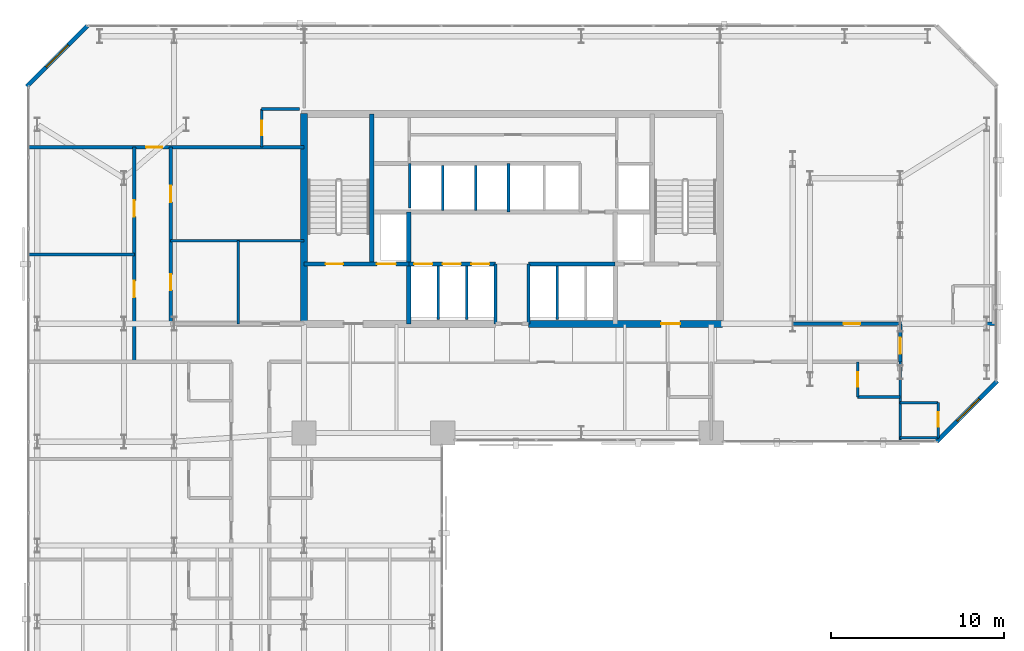
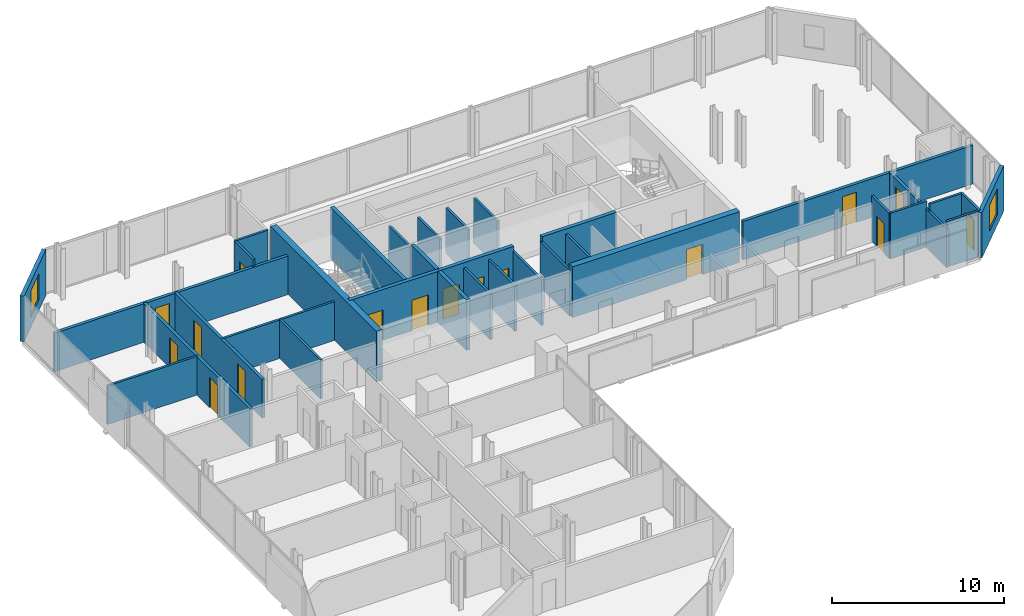
# One storey, part 30 of 33: 34 walls, 16 doors, 2 windows, 18 openings.
"""IFC4 building model written with IfcOpenShell, lengths in metres."""

from ifc_helpers import new_model, si_unit, direction, frame, frame_2d, origin, place, context, subcontext, project, spatial, rectangle, extrude, material, layer, layer_set, type_object, element, fill, save


model = new_model("IFC4")

# Units and contexts
model_context = context("Model", 3, precision=1e-05, world=origin(), true_north=direction((0.0, 1.0)))
body_context = subcontext(model_context, "Body", "Model", "MODEL_VIEW")
ifc_project = project(units=[si_unit("LENGTHUNIT", "METRE"), si_unit("AREAUNIT", "SQUARE_METRE"), si_unit("VOLUMEUNIT", "CUBIC_METRE"), si_unit("PLANEANGLEUNIT", "RADIAN"), si_unit("MASSUNIT", "GRAM", prefix="KILO")], contexts=[model_context])

# Site, building, storey
site_placement = place(None, origin())
site = spatial("IfcSite", under=ifc_project, at=site_placement, CompositionType="ELEMENT")
building_placement = place(site_placement, origin())
building = spatial("IfcBuilding", under=site, at=building_placement, Name="Catumbela Crestline Tower", CompositionType="ELEMENT")
storey_placement = place(building_placement, frame((0.0, 0.0, 76.2)))
storey = spatial("IfcBuildingStorey", under=building, at=storey_placement, Name="L19", CompositionType="ELEMENT", Elevation=76.2)

# Walls
ifc_material_1 = material(Name="Concrete C50/60", Category="concrete")
ifc_layer_1 = layer(ifc_material_1, 0.25, Name="Concrete C50/60")
ifc_layer_set_1 = layer_set([ifc_layer_1], Name="Concrete C50/60")
wall_type_1 = type_object("IfcWallType", Name="CW-250D", PredefinedType="SHEAR", material=ifc_layer_set_1)
wall_1_placement = place(storey_placement, frame((19.9, 34.25, 0.0), z_axis=(0.0, 0.0, 1.0), x_axis=(0.0, 1.0, 0.0)))
element("IfcWall", 1, at=wall_1_placement, inside=storey, type_object=wall_type_1, Name="L19 Structural Core Shear Wall WWEB", PredefinedType="SHEAR", context=body_context, shape_type="SweptSolid", body=[
    extrude(rectangle(XDim=8.65, YDim=0.25, at=frame_2d((4.325, 0.0))), origin(), (0.0, 0.0, 1.0), 3.6),
])
wall_2_placement = place(storey_placement, frame((22.05, 30.8, 0.0), z_axis=(0.0, 0.0, 1.0), x_axis=(0.0, 1.0, 0.0)))
element("IfcWall", 2, at=wall_2_placement, inside=storey, type_object=wall_type_1, Name="L19 Structural Core Shear Wall FFW", PredefinedType="SHEAR", context=body_context, shape_type="SweptSolid", body=[
    extrude(rectangle(XDim=6.45, YDim=0.25, at=frame_2d((3.225, 0.0))), origin(), (0.0, 0.0, 1.0), 3.6),
])

# Wall, openings, doors
wall_3_placement = place(storey_placement, frame((16.0, 34.25, 0.0), z_axis=(0.0, 0.0, 1.0), x_axis=(1.0, 0.0, 0.0)))
wall_3 = element("IfcWall", 3, at=wall_3_placement, inside=storey, type_object=wall_type_1, Name="L19 Structural Core Shear Wall ST1S", PredefinedType="SHEAR", context=body_context, shape_type="SweptSolid", body=[
    extrude(rectangle(XDim=6.05, YDim=0.25, at=frame_2d((3.025, 0.0))), origin(), (0.0, 0.0, 1.0), 3.6),
])
opening_1_placement = place(wall_3_placement, frame((1.25, 0.0, 0.0)))
opening_1 = element("IfcOpeningElement", 4, at=opening_1_placement, cuts=wall_3, Name="Opening DF9-100", PredefinedType="OPENING", context=body_context, shape_type="SweptSolid", body=[
    extrude(rectangle(XDim=1.0, YDim=2.15, at=frame_2d((0.5, 1.075))), frame((0.0, 0.135, 0.0), z_axis=(0.0, -1.0, 0.0), x_axis=(1.0, 0.0, 0.0)), (0.0, 0.0, 1.0), 0.27),
])
opening_2_placement = place(wall_3_placement, frame((4.2, 0.0, 0.0)))
opening_2 = element("IfcOpeningElement", 5, at=opening_2_placement, cuts=wall_3, Name="Opening LD-110", PredefinedType="OPENING", context=body_context, shape_type="SweptSolid", body=[
    extrude(rectangle(XDim=1.1, YDim=2.15, at=frame_2d((0.55, 1.075))), frame((0.0, 0.135, 0.0), z_axis=(0.0, -1.0, 0.0), x_axis=(1.0, 0.0, 0.0)), (0.0, 0.0, 1.0), 0.27),
])
ifc_material_2 = material(Name="Stainless steel EN 1.4401", Category="steel")
door_type_1 = type_object("IfcDoorType", Name="DF9-100", OperationType="NOTDEFINED", PredefinedType="DOOR", material=ifc_material_2)
door_1_placement = place(opening_1_placement, origin())
door_1 = element("IfcDoor", 6, at=door_1_placement, inside=storey, type_object=door_type_1, Name="L19 Interior Door DR-L19-ST01", OperationType="SINGLE_SWING_LEFT", OverallHeight=2.15, OverallWidth=1.0, PredefinedType="DOOR", context=body_context, shape_type="SweptSolid", body=[
    extrude(rectangle(XDim=1.0, YDim=2.15, at=frame_2d((0.5, 1.075))), frame((0.0, 0.025, 0.0), z_axis=(0.0, -1.0, 0.0), x_axis=(1.0, 0.0, 0.0)), (0.0, 0.0, 1.0), 0.05),
])
fill(opening_1, door_1)
door_type_2 = type_object("IfcDoorType", Name="LD-110", OperationType="NOTDEFINED", PredefinedType="DOOR", material=ifc_material_2)
door_2_placement = place(opening_2_placement, origin())
door_2 = element("IfcDoor", 7, at=door_2_placement, inside=storey, type_object=door_type_2, Name="L19 Lift Landing Sliding Door FL-01", OperationType="DOUBLE_DOOR_SLIDING", OverallHeight=2.15, OverallWidth=1.1, PredefinedType="DOOR", context=body_context, shape_type="SweptSolid", body=[
    extrude(rectangle(XDim=1.1, YDim=2.15, at=frame_2d((0.55, 1.075))), frame((0.0, 0.025, 0.0), z_axis=(0.0, -1.0, 0.0), x_axis=(1.0, 0.0, 0.0)), (0.0, 0.0, 1.0), 0.05),
])
fill(opening_2, door_2)

wall_4_placement = place(storey_placement, frame((22.05, 34.25, 0.0), z_axis=(0.0, 0.0, 1.0), x_axis=(1.0, 0.0, 0.0)))
wall_4 = element("IfcWall", 8, at=wall_4_placement, inside=storey, type_object=wall_type_1, Name="L19 Structural Core Shear Wall LIFTS-W", PredefinedType="SHEAR", context=body_context, shape_type="SweptSolid", body=[
    extrude(rectangle(XDim=5.0, YDim=0.25, at=frame_2d((2.5, 0.0))), origin(), (0.0, 0.0, 1.0), 3.6),
])
opening_3_placement = place(wall_4_placement, frame((0.3, 0.0, 0.0)))
opening_3 = element("IfcOpeningElement", 9, at=opening_3_placement, cuts=wall_4, Name="Opening LD-105", PredefinedType="OPENING", context=body_context, shape_type="SweptSolid", body=[
    extrude(rectangle(XDim=1.05, YDim=2.15, at=frame_2d((0.525, 1.075))), frame((0.0, 0.135, 0.0), z_axis=(0.0, -1.0, 0.0), x_axis=(1.0, 0.0, 0.0)), (0.0, 0.0, 1.0), 0.27),
])
opening_4_placement = place(wall_4_placement, frame((1.95, 0.0, 0.0)))
opening_4 = element("IfcOpeningElement", 10, at=opening_4_placement, cuts=wall_4, Name="Opening LD-105", PredefinedType="OPENING", context=body_context, shape_type="SweptSolid", body=[
    extrude(rectangle(XDim=1.05, YDim=2.15, at=frame_2d((0.525, 1.075))), frame((0.0, 0.135, 0.0), z_axis=(0.0, -1.0, 0.0), x_axis=(1.0, 0.0, 0.0)), (0.0, 0.0, 1.0), 0.27),
])
opening_5_placement = place(wall_4_placement, frame((3.6, 0.0, 0.0)))
opening_5 = element("IfcOpeningElement", 11, at=opening_5_placement, cuts=wall_4, Name="Opening LD-105", PredefinedType="OPENING", context=body_context, shape_type="SweptSolid", body=[
    extrude(rectangle(XDim=1.05, YDim=2.15, at=frame_2d((0.525, 1.075))), frame((0.0, 0.135, 0.0), z_axis=(0.0, -1.0, 0.0), x_axis=(1.0, 0.0, 0.0)), (0.0, 0.0, 1.0), 0.27),
])
door_type_3 = type_object("IfcDoorType", Name="LD-105", OperationType="NOTDEFINED", PredefinedType="DOOR", material=ifc_material_2)
door_3_placement = place(opening_3_placement, origin())
door_3 = element("IfcDoor", 12, at=door_3_placement, inside=storey, type_object=door_type_3, Name="L19 Lift Landing Sliding Door PL-L1", OperationType="DOUBLE_DOOR_SLIDING", OverallHeight=2.15, OverallWidth=1.05, PredefinedType="DOOR", context=body_context, shape_type="SweptSolid", body=[
    extrude(rectangle(XDim=1.05, YDim=2.15, at=frame_2d((0.525, 1.075))), frame((0.0, 0.025, 0.0), z_axis=(0.0, -1.0, 0.0), x_axis=(1.0, 0.0, 0.0)), (0.0, 0.0, 1.0), 0.05),
])
fill(opening_3, door_3)
door_4_placement = place(opening_4_placement, origin())
door_4 = element("IfcDoor", 13, at=door_4_placement, inside=storey, type_object=door_type_3, Name="L19 Lift Landing Sliding Door PL-L2", OperationType="DOUBLE_DOOR_SLIDING", OverallHeight=2.15, OverallWidth=1.05, PredefinedType="DOOR", context=body_context, shape_type="SweptSolid", body=[
    extrude(rectangle(XDim=1.05, YDim=2.15, at=frame_2d((0.525, 1.075))), frame((0.0, 0.025, 0.0), z_axis=(0.0, -1.0, 0.0), x_axis=(1.0, 0.0, 0.0)), (0.0, 0.0, 1.0), 0.05),
])
fill(opening_4, door_4)
door_5_placement = place(opening_5_placement, origin())
door_5 = element("IfcDoor", 14, at=door_5_placement, inside=storey, type_object=door_type_3, Name="L19 Lift Landing Sliding Door PL-L3", OperationType="DOUBLE_DOOR_SLIDING", OverallHeight=2.15, OverallWidth=1.05, PredefinedType="DOOR", context=body_context, shape_type="SweptSolid", body=[
    extrude(rectangle(XDim=1.05, YDim=2.15, at=frame_2d((0.525, 1.075))), frame((0.0, 0.025, 0.0), z_axis=(0.0, -1.0, 0.0), x_axis=(1.0, 0.0, 0.0)), (0.0, 0.0, 1.0), 0.05),
])
fill(opening_5, door_5)

# Walls
wall_5_placement = place(storey_placement, frame((28.95, 34.25, 0.0), z_axis=(0.0, 0.0, 1.0), x_axis=(1.0, 0.0, 0.0)))
element("IfcWall", 15, at=wall_5_placement, inside=storey, type_object=wall_type_1, Name="L19 Structural Core Shear Wall LIFTS-E", PredefinedType="SHEAR", context=body_context, shape_type="SweptSolid", body=[
    extrude(rectangle(XDim=5.0, YDim=0.25, at=frame_2d((2.5, 0.0))), origin(), (0.0, 0.0, 1.0), 3.6),
])
ifc_material_3 = material(Name="Concrete C60/75", Category="concrete")
ifc_layer_2 = layer(ifc_material_3, 0.4, Name="Concrete C60/75")
ifc_layer_set_2 = layer_set([ifc_layer_2], Name="Concrete C60/75")
wall_type_2 = type_object("IfcWallType", Name="CW-400A", PredefinedType="SHEAR", material=ifc_layer_set_2)
wall_6_placement = place(storey_placement, frame((16.0, 30.65, 0.0), z_axis=(0.0, 0.0, 1.0), x_axis=(0.0, 1.0, 0.0)))
element("IfcWall", 16, at=wall_6_placement, inside=storey, type_object=wall_type_2, Name="L19 Structural Core Shear Wall W", PredefinedType="SHEAR", context=body_context, shape_type="SweptSolid", body=[
    extrude(rectangle(XDim=12.3, YDim=0.4, at=frame_2d((6.15, 0.0))), origin(), (0.0, 0.0, 1.0), 3.6),
])

# Wall, opening, door
wall_7_placement = place(storey_placement, frame((28.95, 30.8, 0.0), z_axis=(0.0, 0.0, 1.0), x_axis=(1.0, 0.0, 0.0)))
wall_7 = element("IfcWall", 17, at=wall_7_placement, inside=storey, type_object=wall_type_2, Name="L19 Structural Core Shear Wall SE", PredefinedType="SHEAR", context=body_context, shape_type="SweptSolid", body=[
    extrude(rectangle(XDim=11.2, YDim=0.4, at=frame_2d((5.6, 0.0))), origin(), (0.0, 0.0, 1.0), 3.6),
])
opening_6_placement = place(wall_7_placement, frame((7.65, 0.0, 0.0)))
opening_6 = element("IfcOpeningElement", 18, at=opening_6_placement, cuts=wall_7, Name="Opening DF9-110", PredefinedType="OPENING", context=body_context, shape_type="SweptSolid", body=[
    extrude(rectangle(XDim=1.1, YDim=2.15, at=frame_2d((0.55, 1.075))), frame((0.0, 0.21, 0.0), z_axis=(0.0, -1.0, 0.0), x_axis=(1.0, 0.0, 0.0)), (0.0, 0.0, 1.0), 0.42),
])
door_type_4 = type_object("IfcDoorType", Name="DF9-110", OperationType="NOTDEFINED", PredefinedType="DOOR", material=ifc_material_2)
door_6_placement = place(opening_6_placement, origin())
door_6 = element("IfcDoor", 19, at=door_6_placement, inside=storey, type_object=door_type_4, Name="L19 Interior Door DR-L19-FFE-S", OperationType="SINGLE_SWING_RIGHT", OverallHeight=2.15, OverallWidth=1.1, PredefinedType="DOOR", context=body_context, shape_type="SweptSolid", body=[
    extrude(rectangle(XDim=1.1, YDim=2.15, at=frame_2d((0.55, 1.075))), frame((0.0, 0.025, 0.0), z_axis=(0.0, -1.0, 0.0), x_axis=(1.0, 0.0, 0.0)), (0.0, 0.0, 1.0), 0.05),
])
fill(opening_6, door_6)

# Wall, openings, doors
ifc_material_4 = material(Name="Acoustic gypsum and mineral-wool partition")
ifc_layer_3 = layer(ifc_material_4, 0.2, Name="Acoustic gypsum and mineral-wool partition")
ifc_layer_set_3 = layer_set([ifc_layer_3], Name="Acoustic gypsum and mineral-wool partition")
wall_type_3 = type_object("IfcWallType", Name="WC-200", PredefinedType="PARTITIONING", material=ifc_layer_set_3)
wall_8_placement = place(storey_placement, frame((8.3, 30.8, 0.0), z_axis=(0.0, 0.0, 1.0), x_axis=(0.0, 1.0, 0.0)))
wall_8 = element("IfcWall", 20, at=wall_8_placement, inside=storey, type_object=wall_type_3, Name="L19 Interior Partition PW-L19-AWC-W", PredefinedType="PARTITIONING", context=body_context, shape_type="SweptSolid", body=[
    extrude(rectangle(XDim=10.2, YDim=0.2, at=frame_2d((5.1, 0.0))), origin(), (0.0, 0.0, 1.0), 2.74),
])
opening_7_placement = place(wall_8_placement, frame((1.95, 0.0, 0.0)))
opening_7 = element("IfcOpeningElement", 21, at=opening_7_placement, cuts=wall_8, Name="Opening DI-090", PredefinedType="OPENING", context=body_context, shape_type="SweptSolid", body=[
    extrude(rectangle(XDim=0.9, YDim=2.15, at=frame_2d((0.45, 1.075))), frame((0.0, 0.11, 0.0), z_axis=(0.0, -1.0, 0.0), x_axis=(1.0, 0.0, 0.0)), (0.0, 0.0, 1.0), 0.22),
])
opening_8_placement = place(wall_8_placement, frame((7.025, 0.0, 0.0)))
opening_8 = element("IfcOpeningElement", 22, at=opening_8_placement, cuts=wall_8, Name="Opening DF6-095", PredefinedType="OPENING", context=body_context, shape_type="SweptSolid", body=[
    extrude(rectangle(XDim=0.95, YDim=2.15, at=frame_2d((0.475, 1.075))), frame((0.0, 0.11, 0.0), z_axis=(0.0, -1.0, 0.0), x_axis=(1.0, 0.0, 0.0)), (0.0, 0.0, 1.0), 0.22),
])
ifc_material_5 = material(Name="Aluminium alloy AW-6060-T66", Category="aluminium")
door_type_5 = type_object("IfcDoorType", Name="DF6-095", OperationType="NOTDEFINED", PredefinedType="DOOR", material=ifc_material_5)
door_7_placement = place(opening_8_placement, origin())
door_7 = element("IfcDoor", 23, at=door_7_placement, inside=storey, type_object=door_type_5, Name="L19 Interior Door DR-L19-DDIN-ENT", OperationType="SINGLE_SWING_RIGHT", OverallHeight=2.15, OverallWidth=0.95, PredefinedType="DOOR", context=body_context, shape_type="SweptSolid", body=[
    extrude(rectangle(XDim=0.95, YDim=2.15, at=frame_2d((0.475, 1.075))), frame((0.0, 0.025, 0.0), z_axis=(0.0, -1.0, 0.0), x_axis=(1.0, 0.0, 0.0)), (0.0, 0.0, 1.0), 0.05),
])
fill(opening_8, door_7)
door_type_6 = type_object("IfcDoorType", Name="DI-090", OperationType="NOTDEFINED", PredefinedType="DOOR", material=ifc_material_5)
door_8_placement = place(opening_7_placement, origin())
door_8 = element("IfcDoor", 24, at=door_8_placement, inside=storey, type_object=door_type_6, Name="L19 Interior Door DR-L19-STWC", OperationType="SINGLE_SWING_RIGHT", OverallHeight=2.15, OverallWidth=0.9, PredefinedType="DOOR", context=body_context, shape_type="SweptSolid", body=[
    extrude(rectangle(XDim=0.9, YDim=2.15, at=frame_2d((0.45, 1.075))), frame((0.0, 0.025, 0.0), z_axis=(0.0, -1.0, 0.0), x_axis=(1.0, 0.0, 0.0)), (0.0, 0.0, 1.0), 0.05),
])
fill(opening_7, door_8)

# Wall, opening, door
wall_9_placement = place(storey_placement, frame((0.1, 41.0, 0.0), z_axis=(0.0, 0.0, 1.0), x_axis=(1.0, 0.0, 0.0)))
wall_9 = element("IfcWall", 25, at=wall_9_placement, inside=storey, type_object=wall_type_3, Name="L19 Interior Partition PW-L19-NWTOP-ENT", PredefinedType="PARTITIONING", context=body_context, shape_type="SweptSolid", body=[
    extrude(rectangle(XDim=15.9, YDim=0.2, at=frame_2d((7.95, 0.0))), origin(), (0.0, 0.0, 1.0), 2.74),
])
opening_9_placement = place(wall_9_placement, frame((6.7788, 0.0, 0.0)))
opening_9 = element("IfcOpeningElement", 26, at=opening_9_placement, cuts=wall_9, Name="Opening DF6-095", PredefinedType="OPENING", context=body_context, shape_type="SweptSolid", body=[
    extrude(rectangle(XDim=0.95, YDim=2.15, at=frame_2d((0.475, 1.075))), frame((0.0, 0.11, 0.0), z_axis=(0.0, -1.0, 0.0), x_axis=(1.0, 0.0, 0.0)), (0.0, 0.0, 1.0), 0.22),
])
door_9_placement = place(opening_9_placement, origin())
door_9 = element("IfcDoor", 27, at=door_9_placement, inside=storey, type_object=door_type_5, Name="L19 Interior Door DR-L19-NWTOP-ENT", OperationType="SINGLE_SWING_LEFT", OverallHeight=2.15, OverallWidth=0.95, PredefinedType="DOOR", context=body_context, shape_type="SweptSolid", body=[
    extrude(rectangle(XDim=0.95, YDim=2.15, at=frame_2d((0.475, 1.075))), frame((0.0, 0.025, 0.0), z_axis=(0.0, -1.0, 0.0), x_axis=(1.0, 0.0, 0.0)), (0.0, 0.0, 1.0), 0.05),
])
fill(opening_9, door_9)

# Wall, openings, doors
wall_10_placement = place(storey_placement, frame((6.2, 28.6, 0.0), z_axis=(0.0, 0.0, 1.0), x_axis=(0.0, 1.0, 0.0)))
wall_10 = element("IfcWall", 28, at=wall_10_placement, inside=storey, type_object=wall_type_3, Name="L19 Interior Partition PW-L19-DREC-ENT", PredefinedType="PARTITIONING", context=body_context, shape_type="SweptSolid", body=[
    extrude(rectangle(XDim=12.4, YDim=0.2, at=frame_2d((6.2, 0.0))), origin(), (0.0, 0.0, 1.0), 2.74),
])
opening_10_placement = place(wall_10_placement, frame((3.725, 0.0, 0.0)))
opening_10 = element("IfcOpeningElement", 29, at=opening_10_placement, cuts=wall_10, Name="Opening DF6-095", PredefinedType="OPENING", context=body_context, shape_type="SweptSolid", body=[
    extrude(rectangle(XDim=0.95, YDim=2.15, at=frame_2d((0.475, 1.075))), frame((0.0, 0.11, 0.0), z_axis=(0.0, -1.0, 0.0), x_axis=(1.0, 0.0, 0.0)), (0.0, 0.0, 1.0), 0.22),
])
opening_11_placement = place(wall_10_placement, frame((8.3808, 0.0, 0.0)))
opening_11 = element("IfcOpeningElement", 30, at=opening_11_placement, cuts=wall_10, Name="Opening DF6-095", PredefinedType="OPENING", context=body_context, shape_type="SweptSolid", body=[
    extrude(rectangle(XDim=0.95, YDim=2.15, at=frame_2d((0.475, 1.075))), frame((0.0, 0.11, 0.0), z_axis=(0.0, -1.0, 0.0), x_axis=(1.0, 0.0, 0.0)), (0.0, 0.0, 1.0), 0.22),
])
door_10_placement = place(opening_10_placement, origin())
door_10 = element("IfcDoor", 31, at=door_10_placement, inside=storey, type_object=door_type_5, Name="L19 Interior Door DR-L19-DREC-ENT", OperationType="SINGLE_SWING_LEFT", OverallHeight=2.15, OverallWidth=0.95, PredefinedType="DOOR", context=body_context, shape_type="SweptSolid", body=[
    extrude(rectangle(XDim=0.95, YDim=2.15, at=frame_2d((0.475, 1.075))), frame((0.0, 0.025, 0.0), z_axis=(0.0, -1.0, 0.0), x_axis=(1.0, 0.0, 0.0)), (0.0, 0.0, 1.0), 0.05),
])
fill(opening_10, door_10)
door_11_placement = place(opening_11_placement, origin())
door_11 = element("IfcDoor", 32, at=door_11_placement, inside=storey, type_object=door_type_5, Name="L19 Interior Door DR-L19-DKIT-ENT", OperationType="SINGLE_SWING_LEFT", OverallHeight=2.15, OverallWidth=0.95, PredefinedType="DOOR", context=body_context, shape_type="SweptSolid", body=[
    extrude(rectangle(XDim=0.95, YDim=2.15, at=frame_2d((0.475, 1.075))), frame((0.0, 0.025, 0.0), z_axis=(0.0, -1.0, 0.0), x_axis=(1.0, 0.0, 0.0)), (0.0, 0.0, 1.0), 0.05),
])
fill(opening_11, door_11)

# Wall, opening, door
wall_11_placement = place(storey_placement, frame((40.47, 30.8, 0.0), z_axis=(0.0, 0.0, 1.0), x_axis=(1.0, 0.0, 0.0)))
wall_11 = element("IfcWall", 33, at=wall_11_placement, inside=storey, type_object=wall_type_3, Name="L19 Interior Partition PW-L19-NES-ENT", PredefinedType="PARTITIONING", context=body_context, shape_type="SweptSolid", body=[
    extrude(rectangle(XDim=15.43, YDim=0.2, at=frame_2d((7.715, 0.0))), origin(), (0.0, 0.0, 1.0), 2.74),
])
opening_12_placement = place(wall_11_placement, frame((6.6725, 0.0, 0.0)))
opening_12 = element("IfcOpeningElement", 34, at=opening_12_placement, cuts=wall_11, Name="Opening DF6-095", PredefinedType="OPENING", context=body_context, shape_type="SweptSolid", body=[
    extrude(rectangle(XDim=0.95, YDim=2.15, at=frame_2d((0.475, 1.075))), frame((0.0, 0.11, 0.0), z_axis=(0.0, -1.0, 0.0), x_axis=(1.0, 0.0, 0.0)), (0.0, 0.0, 1.0), 0.22),
])
door_12_placement = place(opening_12_placement, origin())
door_12 = element("IfcDoor", 35, at=door_12_placement, inside=storey, type_object=door_type_5, Name="L19 Interior Door DR-L19-NES-ENT", OperationType="SINGLE_SWING_LEFT", OverallHeight=2.15, OverallWidth=0.95, PredefinedType="DOOR", context=body_context, shape_type="SweptSolid", body=[
    extrude(rectangle(XDim=0.95, YDim=2.15, at=frame_2d((0.475, 1.075))), frame((0.0, 0.025, 0.0), z_axis=(0.0, -1.0, 0.0), x_axis=(1.0, 0.0, 0.0)), (0.0, 0.0, 1.0), 0.05),
])
fill(opening_12, door_12)

wall_12_placement = place(storey_placement, frame((50.4, 28.6, 0.0), z_axis=(0.0, 0.0, 1.0), x_axis=(0.0, 1.0, 0.0)))
wall_12 = element("IfcWall", 36, at=wall_12_placement, inside=storey, type_object=wall_type_3, Name="L19 Interior Partition PW-L19-NESE-ENT", PredefinedType="PARTITIONING", context=body_context, shape_type="SweptSolid", body=[
    extrude(rectangle(XDim=2.2, YDim=0.2, at=frame_2d((1.1, 0.0))), origin(), (0.0, 0.0, 1.0), 2.74),
])
opening_13_placement = place(wall_12_placement, frame((0.46, 0.0, 0.0)))
opening_13 = element("IfcOpeningElement", 37, at=opening_13_placement, cuts=wall_12, Name="Opening DF6-095", PredefinedType="OPENING", context=body_context, shape_type="SweptSolid", body=[
    extrude(rectangle(XDim=0.95, YDim=2.15, at=frame_2d((0.475, 1.075))), frame((0.0, 0.11, 0.0), z_axis=(0.0, -1.0, 0.0), x_axis=(1.0, 0.0, 0.0)), (0.0, 0.0, 1.0), 0.22),
])
door_13_placement = place(opening_13_placement, origin())
door_13 = element("IfcDoor", 38, at=door_13_placement, inside=storey, type_object=door_type_5, Name="L19 Interior Door DR-L19-NESE-ENT", OperationType="SINGLE_SWING_RIGHT", OverallHeight=2.15, OverallWidth=0.95, PredefinedType="DOOR", context=body_context, shape_type="SweptSolid", body=[
    extrude(rectangle(XDim=0.95, YDim=2.15, at=frame_2d((0.475, 1.075))), frame((0.0, 0.025, 0.0), z_axis=(0.0, -1.0, 0.0), x_axis=(1.0, 0.0, 0.0)), (0.0, 0.0, 1.0), 0.05),
])
fill(opening_13, door_13)

# Wall, opening, window
ifc_material_6 = material(Name="Angolan grey-ochre granite", Category="masonry")
ifc_layer_4 = layer(ifc_material_6, 0.25, Name="Angolan grey-ochre granite")
ifc_layer_set_4 = layer_set([ifc_layer_4], Name="Angolan grey-ochre granite")
wall_type_4 = type_object("IfcWallType", Name="WE-250", PredefinedType="STANDARD", material=ifc_layer_set_4)
wall_13_placement = place(storey_placement, frame((52.5, 24.0, 0.0), z_axis=(0.0, 0.0, 1.0), x_axis=(0.707106781187, 0.707106781187, 0.0)))
wall_13 = element("IfcWall", 39, at=wall_13_placement, inside=storey, type_object=wall_type_4, Name="L19 Granite Punched Window Wall 4-1", PredefinedType="STANDARD", context=body_context, shape_type="SweptSolid", body=[
    extrude(rectangle(XDim=4.9497, YDim=0.25, at=frame_2d((2.4748, 0.0))), origin(), (0.0, 0.0, 1.0), 3.24),
])
opening_14_placement = place(wall_13_placement, frame((1.6851, 0.0, 0.75)))
opening_14 = element("IfcOpeningElement", 40, at=opening_14_placement, cuts=wall_13, Name="Opening WN-01", PredefinedType="OPENING", context=body_context, shape_type="SweptSolid", body=[
    extrude(rectangle(XDim=1.8, YDim=1.85, at=frame_2d((0.9, 0.925))), frame((0.0, 0.135, 0.0), z_axis=(0.0, -1.0, 0.0), x_axis=(1.0, 0.0, 0.0)), (0.0, 0.0, 1.0), 0.27),
])
ifc_material_7 = material(Name="Low-E laminated solar-control double glazing", Category="glass")
window_type = type_object("IfcWindowType", Name="WF-1800", PartitioningType="SINGLE_PANEL", PredefinedType="WINDOW", material=ifc_material_7)
window_1_placement = place(opening_14_placement, origin())
window_1 = element("IfcWindow", 41, at=window_1_placement, inside=storey, type_object=window_type, Name="L19 Facade Vision Window 119", OverallHeight=1.85, OverallWidth=1.8, PartitioningType="SINGLE_PANEL", PredefinedType="WINDOW", context=body_context, shape_type="SweptSolid", body=[
    extrude(rectangle(XDim=1.8, YDim=1.85, at=frame_2d((0.9, 0.925))), frame((0.0, 0.03, 0.0), z_axis=(0.0, -1.0, 0.0), x_axis=(1.0, 0.0, 0.0)), (0.0, 0.0, 1.0), 0.06),
])
fill(opening_14, window_1)

wall_14_placement = place(storey_placement, frame((3.5, 48.0, 0.0), z_axis=(0.0, 0.0, 1.0), x_axis=(-0.707106781187, -0.707106781187, 0.0)))
wall_14 = element("IfcWall", 42, at=wall_14_placement, inside=storey, type_object=wall_type_4, Name="L19 Granite Punched Window Wall 8-1", PredefinedType="STANDARD", context=body_context, shape_type="SweptSolid", body=[
    extrude(rectangle(XDim=4.9497, YDim=0.25, at=frame_2d((2.4748, 0.0))), origin(), (0.0, 0.0, 1.0), 3.24),
])
opening_15_placement = place(wall_14_placement, frame((1.5749, 0.0, 0.75)))
opening_15 = element("IfcOpeningElement", 43, at=opening_15_placement, cuts=wall_14, Name="Opening WN-01", PredefinedType="OPENING", context=body_context, shape_type="SweptSolid", body=[
    extrude(rectangle(XDim=1.8, YDim=1.85, at=frame_2d((0.9, 0.925))), frame((0.0, 0.135, 0.0), z_axis=(0.0, -1.0, 0.0), x_axis=(1.0, 0.0, 0.0)), (0.0, 0.0, 1.0), 0.27),
])
window_2_placement = place(opening_15_placement, origin())
window_2 = element("IfcWindow", 44, at=window_2_placement, inside=storey, type_object=window_type, Name="L19 Facade Vision Window 121", OverallHeight=1.85, OverallWidth=1.8, PartitioningType="SINGLE_PANEL", PredefinedType="WINDOW", context=body_context, shape_type="SweptSolid", body=[
    extrude(rectangle(XDim=1.8, YDim=1.85, at=frame_2d((0.9, 0.925))), frame((0.0, 0.03, 0.0), z_axis=(0.0, -1.0, 0.0), x_axis=(1.0, 0.0, 0.0)), (0.0, 0.0, 1.0), 0.06),
])
fill(opening_15, window_2)

# Walls
ifc_layer_5 = layer(ifc_material_4, 0.15, Name="Acoustic gypsum and mineral-wool partition")
ifc_layer_set_5 = layer_set([ifc_layer_5], Name="Acoustic gypsum and mineral-wool partition")
wall_type_5 = type_object("IfcWallType", Name="WP-150", PredefinedType="PARTITIONING", material=ifc_layer_set_5)
wall_15_placement = place(storey_placement, frame((8.3, 35.6, 0.0), z_axis=(0.0, 0.0, 1.0), x_axis=(1.0, 0.0, 0.0)))
element("IfcWall", 45, at=wall_15_placement, inside=storey, type_object=wall_type_5, Name="L19 Interior Partition PW-L19-HK-N", PredefinedType="PARTITIONING", context=body_context, shape_type="SweptSolid", body=[
    extrude(rectangle(XDim=7.7, YDim=0.15, at=frame_2d((3.85, 0.0))), origin(), (0.0, 0.0, 1.0), 2.74),
])
wall_16_placement = place(storey_placement, frame((12.2, 30.8, 0.0), z_axis=(0.0, 0.0, 1.0), x_axis=(0.0, 1.0, 0.0)))
element("IfcWall", 46, at=wall_16_placement, inside=storey, type_object=wall_type_5, Name="L19 Interior Partition PW-L19-HK-M", PredefinedType="PARTITIONING", context=body_context, shape_type="SweptSolid", body=[
    extrude(rectangle(XDim=4.8, YDim=0.15, at=frame_2d((2.4, 0.0))), origin(), (0.0, 0.0, 1.0), 2.74),
])
wall_17_placement = place(storey_placement, frame((13.55, 43.2, 0.0), z_axis=(0.0, 0.0, 1.0), x_axis=(1.0, 0.0, 0.0)))
element("IfcWall", 47, at=wall_17_placement, inside=storey, type_object=wall_type_5, Name="L19 Interior Partition PW-L19-NWTOP-BHW", PredefinedType="PARTITIONING", context=body_context, shape_type="SweptSolid", body=[
    extrude(rectangle(XDim=2.1897, YDim=0.15, at=frame_2d((1.0949, 0.0))), origin(), (0.0, 0.0, 1.0), 3.24),
])

# Wall, opening, door
wall_18_placement = place(storey_placement, frame((13.55, 41.0, 0.0), z_axis=(0.0, 0.0, 1.0), x_axis=(0.0, 1.0, 0.0)))
wall_18 = element("IfcWall", 48, at=wall_18_placement, inside=storey, type_object=wall_type_5, Name="L19 Interior Partition PW-L19-NWTOP-BWW", PredefinedType="PARTITIONING", context=body_context, shape_type="SweptSolid", body=[
    extrude(rectangle(XDim=2.2, YDim=0.15, at=frame_2d((1.1, 0.0))), origin(), (0.0, 0.0, 1.0), 3.24),
])
opening_16_placement = place(wall_18_placement, frame((0.675, 0.0, 0.0)))
opening_16 = element("IfcOpeningElement", 49, at=opening_16_placement, cuts=wall_18, Name="Opening DI-085", PredefinedType="OPENING", context=body_context, shape_type="SweptSolid", body=[
    extrude(rectangle(XDim=0.85, YDim=2.15, at=frame_2d((0.425, 1.075))), frame((0.0, 0.085, 0.0), z_axis=(0.0, -1.0, 0.0), x_axis=(1.0, 0.0, 0.0)), (0.0, 0.0, 1.0), 0.17),
])
door_type_7 = type_object("IfcDoorType", Name="DI-085", OperationType="NOTDEFINED", PredefinedType="DOOR", material=ifc_material_5)
door_14_placement = place(opening_16_placement, origin())
door_14 = element("IfcDoor", 50, at=door_14_placement, inside=storey, type_object=door_type_7, Name="L19 Interior Door DR-L19-NWTOP-BTH", OperationType="SINGLE_SWING_RIGHT", OverallHeight=2.15, OverallWidth=0.85, PredefinedType="DOOR", context=body_context, shape_type="SweptSolid", body=[
    extrude(rectangle(XDim=0.85, YDim=2.15, at=frame_2d((0.425, 1.075))), frame((0.0, 0.025, 0.0), z_axis=(0.0, -1.0, 0.0), x_axis=(1.0, 0.0, 0.0)), (0.0, 0.0, 1.0), 0.05),
])
fill(opening_16, door_14)

# Walls
wall_19_placement = place(storey_placement, frame((0.1, 34.8, 0.0), z_axis=(0.0, 0.0, 1.0), x_axis=(1.0, 0.0, 0.0)))
element("IfcWall", 51, at=wall_19_placement, inside=storey, type_object=wall_type_5, Name="L19 Interior Partition PW-L19-G4-1", PredefinedType="PARTITIONING", context=body_context, shape_type="SweptSolid", body=[
    extrude(rectangle(XDim=6.1, YDim=0.15, at=frame_2d((3.05, 0.0))), origin(), (0.0, 0.0, 1.0), 2.74),
])
wall_20_placement = place(storey_placement, frame((47.95, 26.576, 0.0), z_axis=(0.0, 0.0, 1.0), x_axis=(1.0, 0.0, 0.0)))
element("IfcWall", 52, at=wall_20_placement, inside=storey, type_object=wall_type_5, Name="L19 Interior Partition PW-L19-K2-BHW", PredefinedType="PARTITIONING", context=body_context, shape_type="SweptSolid", body=[
    extrude(rectangle(XDim=2.45, YDim=0.15, at=frame_2d((1.225, 0.0))), origin(), (0.0, 0.0, 1.0), 3.24),
])

# Wall, opening, door
wall_21_placement = place(storey_placement, frame((47.95, 26.576, 0.0), z_axis=(0.0, 0.0, 1.0), x_axis=(0.0, 1.0, 0.0)))
wall_21 = element("IfcWall", 53, at=wall_21_placement, inside=storey, type_object=wall_type_5, Name="L19 Interior Partition PW-L19-K2-BWW", PredefinedType="PARTITIONING", context=body_context, shape_type="SweptSolid", body=[
    extrude(rectangle(XDim=2.024, YDim=0.15, at=frame_2d((1.012, 0.0))), origin(), (0.0, 0.0, 1.0), 3.24),
])
opening_17_placement = place(wall_21_placement, frame((0.587, 0.0, 0.0)))
opening_17 = element("IfcOpeningElement", 54, at=opening_17_placement, cuts=wall_21, Name="Opening DI-085", PredefinedType="OPENING", context=body_context, shape_type="SweptSolid", body=[
    extrude(rectangle(XDim=0.85, YDim=2.15, at=frame_2d((0.425, 1.075))), frame((0.0, 0.085, 0.0), z_axis=(0.0, -1.0, 0.0), x_axis=(1.0, 0.0, 0.0)), (0.0, 0.0, 1.0), 0.17),
])
door_15_placement = place(opening_17_placement, origin())
door_15 = element("IfcDoor", 55, at=door_15_placement, inside=storey, type_object=door_type_7, Name="L19 Interior Door DR-L19-K2-BTH", OperationType="SINGLE_SWING_RIGHT", OverallHeight=2.15, OverallWidth=0.85, PredefinedType="DOOR", context=body_context, shape_type="SweptSolid", body=[
    extrude(rectangle(XDim=0.85, YDim=2.15, at=frame_2d((0.425, 1.075))), frame((0.0, 0.025, 0.0), z_axis=(0.0, -1.0, 0.0), x_axis=(1.0, 0.0, 0.0)), (0.0, 0.0, 1.0), 0.05),
])
fill(opening_17, door_15)

# Walls
wall_22_placement = place(storey_placement, frame((50.4, 28.6, 0.0), z_axis=(0.0, 0.0, 1.0), x_axis=(0.0, -1.0, 0.0)))
element("IfcWall", 56, at=wall_22_placement, inside=storey, type_object=wall_type_5, Name="L19 Interior Partition PW-L19-K2-BCL-2", PredefinedType="PARTITIONING", context=body_context, shape_type="SweptSolid", body=[
    extrude(rectangle(XDim=4.5, YDim=0.15, at=frame_2d((2.25, 0.0))), origin(), (0.0, 0.0, 1.0), 2.74),
])
wall_23_placement = place(storey_placement, frame((50.4, 26.25, 0.0), z_axis=(0.0, 0.0, 1.0), x_axis=(1.0, 0.0, 0.0)))
element("IfcWall", 57, at=wall_23_placement, inside=storey, type_object=wall_type_5, Name="L19 Interior Partition PW-L19-NESE-BNW", PredefinedType="PARTITIONING", context=body_context, shape_type="SweptSolid", body=[
    extrude(rectangle(XDim=2.2, YDim=0.15, at=frame_2d((1.1, 0.0))), origin(), (0.0, 0.0, 1.0), 3.24),
])

# Wall, opening, door
wall_24_placement = place(storey_placement, frame((52.6, 24.2, 0.0), z_axis=(0.0, 0.0, 1.0), x_axis=(0.0, 1.0, 0.0)))
wall_24 = element("IfcWall", 58, at=wall_24_placement, inside=storey, type_object=wall_type_5, Name="L19 Interior Partition PW-L19-NESE-BEW", PredefinedType="PARTITIONING", context=body_context, shape_type="SweptSolid", body=[
    extrude(rectangle(XDim=2.05, YDim=0.15, at=frame_2d((1.025, 0.0))), origin(), (0.0, 0.0, 1.0), 3.24),
])
opening_18_placement = place(wall_24_placement, frame((0.6514, 0.0, 0.0)))
opening_18 = element("IfcOpeningElement", 59, at=opening_18_placement, cuts=wall_24, Name="Opening DI-085", PredefinedType="OPENING", context=body_context, shape_type="SweptSolid", body=[
    extrude(rectangle(XDim=0.85, YDim=2.15, at=frame_2d((0.425, 1.075))), frame((0.0, 0.085, 0.0), z_axis=(0.0, -1.0, 0.0), x_axis=(1.0, 0.0, 0.0)), (0.0, 0.0, 1.0), 0.17),
])
door_16_placement = place(opening_18_placement, origin())
door_16 = element("IfcDoor", 60, at=door_16_placement, inside=storey, type_object=door_type_7, Name="L19 Interior Door DR-L19-NESE-BTH", OperationType="SINGLE_SWING_LEFT", OverallHeight=2.15, OverallWidth=0.85, PredefinedType="DOOR", context=body_context, shape_type="SweptSolid", body=[
    extrude(rectangle(XDim=0.85, YDim=2.15, at=frame_2d((0.425, 1.075))), frame((0.0, 0.025, 0.0), z_axis=(0.0, -1.0, 0.0), x_axis=(1.0, 0.0, 0.0)), (0.0, 0.0, 1.0), 0.05),
])
fill(opening_18, door_16)

# Walls
wall_25_placement = place(storey_placement, frame((52.62, 24.22, 0.0), z_axis=(0.0, 0.0, 1.0), x_axis=(-1.0, 0.0, 0.0)))
element("IfcWall", 61, at=wall_25_placement, inside=storey, type_object=wall_type_5, Name="L19 Interior Partition PW-L19-NESE-BCL-3", PredefinedType="PARTITIONING", context=body_context, shape_type="SweptSolid", body=[
    extrude(rectangle(XDim=2.22, YDim=0.15, at=frame_2d((1.11, 0.0))), origin(), (0.0, 0.0, 1.0), 3.24),
])
ifc_layer_6 = layer(ifc_material_4, 0.15, Name="Acoustic gypsum and mineral-wool partition")
ifc_layer_set_6 = layer_set([ifc_layer_6], Name="Acoustic gypsum and mineral-wool partition")
wall_type_6 = type_object("IfcWallType", Name="WS-150", PredefinedType="PLUMBINGWALL", material=ifc_layer_set_6)
for number, where, z_axis, x_axis, name in (
    (62, (27.05, 30.8, 0.0), (0.0, 0.0, 1.0), (0.0, 1.0, 0.0), "L19 Interior Partition PW-L19-THRW"),
    (63, (28.95, 30.8, 0.0), (0.0, 0.0, 1.0), (0.0, 1.0, 0.0), "L19 Interior Partition PW-L19-THRE"),
):
    element("IfcWall", number, at=place(storey_placement, frame(where, z_axis=z_axis, x_axis=x_axis)), inside=storey, type_object=wall_type_6, Name=name, PredefinedType="PLUMBINGWALL", context=body_context, shape_type="SweptSolid", body=[
        extrude(rectangle(XDim=3.45, YDim=0.15, at=frame_2d((1.725, 0.0))), origin(), (0.0, 0.0, 1.0), 3.24),
    ])
for number, where, z_axis, x_axis, name in (
    (64, (23.75, 31.05, 0.0), (0.0, 0.0, 1.0), (0.0, 1.0, 0.0), "L19 Interior Partition PW-L19-SHL1"),
    (65, (25.4, 31.05, 0.0), (0.0, 0.0, 1.0), (0.0, 1.0, 0.0), "L19 Interior Partition PW-L19-SHL2"),
    (66, (30.6, 31.05, 0.0), (0.0, 0.0, 1.0), (0.0, 1.0, 0.0), "L19 Interior Partition PW-L19-SHM1"),
):
    element("IfcWall", number, at=place(storey_placement, frame(where, z_axis=z_axis, x_axis=x_axis)), inside=storey, type_object=wall_type_6, Name=name, PredefinedType="PLUMBINGWALL", context=body_context, shape_type="SweptSolid", body=[
        extrude(rectangle(XDim=3.1, YDim=0.15, at=frame_2d((1.55, 0.0))), origin(), (0.0, 0.0, 1.0), 3.24),
    ])
wall_26_placement = place(storey_placement, frame((22.1, 37.4897, 0.0), z_axis=(0.0, 0.0, 1.0), x_axis=(0.0, 1.0, 0.0)))
element("IfcWall", 67, at=wall_26_placement, inside=storey, type_object=wall_type_6, Name="L19 Interior Partition PW-L19-SHH0", PredefinedType="PLUMBINGWALL", context=body_context, shape_type="SweptSolid", body=[
    extrude(rectangle(XDim=2.5603, YDim=0.15, at=frame_2d((1.2801, 0.0))), origin(), (0.0, 0.0, 1.0), 3.24),
])
wall_27_placement = place(storey_placement, frame((27.8, 37.25, 0.0), z_axis=(0.0, 0.0, 1.0), x_axis=(0.0, 1.0, 0.0)))
element("IfcWall", 68, at=wall_27_placement, inside=storey, type_object=wall_type_6, Name="L19 Interior Partition PW-L19-SHH3", PredefinedType="PLUMBINGWALL", context=body_context, shape_type="SweptSolid", body=[
    extrude(rectangle(XDim=2.8, YDim=0.15, at=frame_2d((1.4, 0.0))), origin(), (0.0, 0.0, 1.0), 3.24),
])
for number, where, z_axis, x_axis, name in (
    (69, (24.0, 37.35, 0.0), (0.0, 0.0, 1.0), (0.0, 1.0, 0.0), "L19 Interior Partition PW-L19-SHH1"),
    (70, (25.9, 37.35, 0.0), (0.0, 0.0, 1.0), (0.0, 1.0, 0.0), "L19 Interior Partition PW-L19-SHH2"),
):
    element("IfcWall", number, at=place(storey_placement, frame(where, z_axis=z_axis, x_axis=x_axis)), inside=storey, type_object=wall_type_6, Name=name, PredefinedType="PLUMBINGWALL", context=body_context, shape_type="SweptSolid", body=[
        extrude(rectangle(XDim=2.6, YDim=0.15, at=frame_2d((1.3, 0.0))), origin(), (0.0, 0.0, 1.0), 3.24),
    ])

save(model, "model.ifc")
